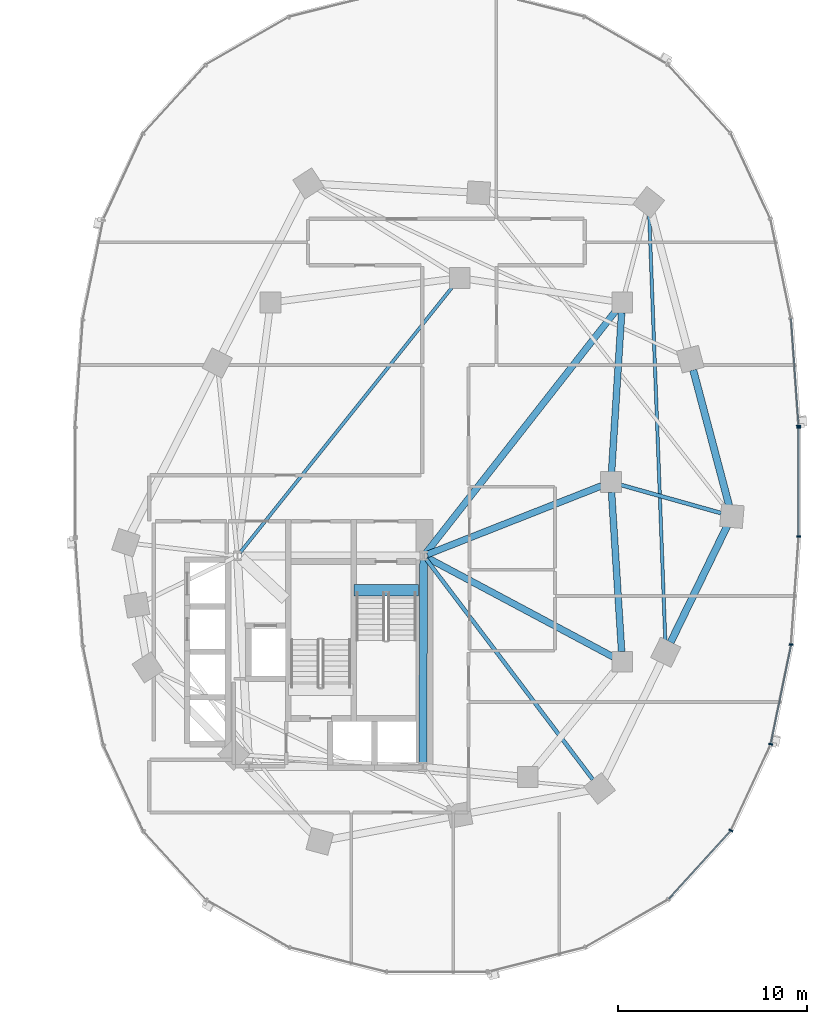
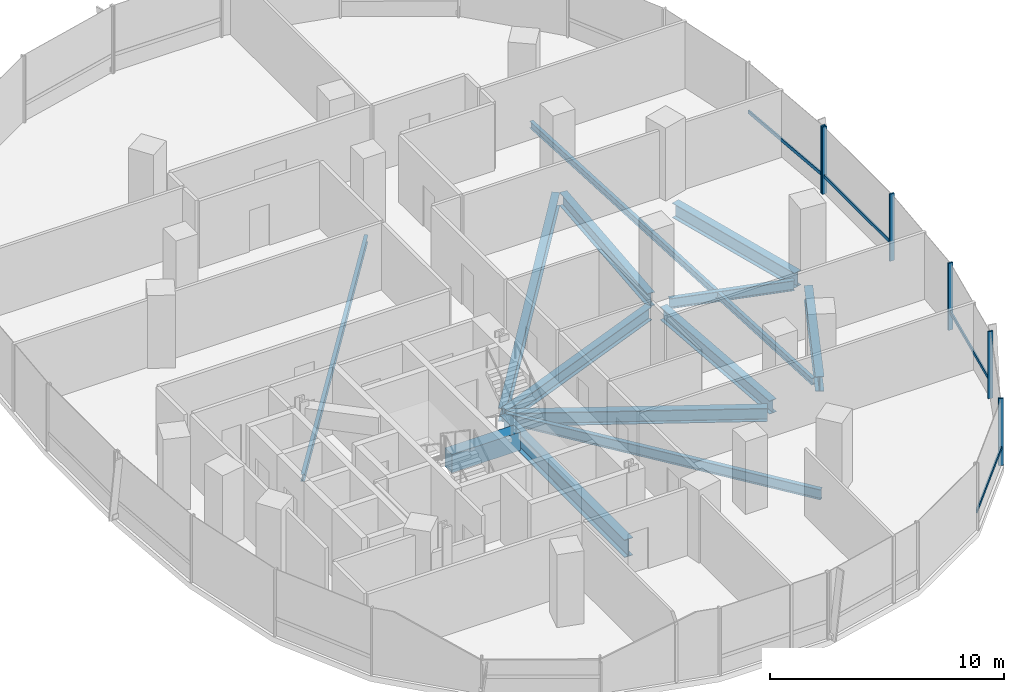
# One storey, part 6 of 22: 13 beams, 10 members, 2 elements without a shape of their own.
"""IFC4 building model written with IfcOpenShell, lengths in metres."""

from ifc_helpers import new_model, si_unit, direction, frame, origin, origin_2d, place, context, subcontext, project, spatial, rectangle, i_section, extrude, material, material_profile, profile_set, type_object, element, aggregate, save


model = new_model("IFC4")

# Units and contexts
model_context = context("Model", 3, precision=1e-05, world=origin(), true_north=direction((0.0, 1.0)))
body_context = subcontext(model_context, "Body", "Model", "MODEL_VIEW")
ifc_project = project(units=[si_unit("LENGTHUNIT", "METRE"), si_unit("AREAUNIT", "SQUARE_METRE"), si_unit("VOLUMEUNIT", "CUBIC_METRE"), si_unit("PLANEANGLEUNIT", "RADIAN"), si_unit("MASSUNIT", "GRAM", prefix="KILO"), si_unit("THERMODYNAMICTEMPERATUREUNIT", "KELVIN"), si_unit("POWERUNIT", "WATT")], contexts=[model_context])

# Site, building, storey
site_placement = place(None, origin())
site = spatial("IfcSite", under=ifc_project, at=site_placement, CompositionType="ELEMENT")
building_placement = place(site_placement, origin())
building = spatial("IfcBuilding", under=site, at=building_placement, Name="Cundina Bronze Exchange", CompositionType="ELEMENT")
storey_placement = place(building_placement, frame((0.0, 0.0, 43.0)))
storey = spatial("IfcBuildingStorey", under=building, at=storey_placement, Name="L10", CompositionType="ELEMENT", Elevation=43.0)

# Beams
ifc_material_1 = material(Name="Concrete C60/75", Category="concrete")
ifc_material_profile_1 = material_profile(ifc_material_1, rectangle(XDim=0.60009765625, YDim=0.949951171875, at=origin_2d()), Name="RC600X950", Category="concrete")
ifc_profile_set_1 = profile_set([ifc_material_profile_1], Name="Concrete C60/75")
beam_type_1 = type_object("IfcBeamType", Name="BM-COUP-RC950", PredefinedType="LINTEL", material=ifc_profile_set_1)
beam_1_placement = place(storey_placement, frame((27.6201171875, -5.719970703125, -0.47509765625), z_axis=(1.0, 0.0, 0.0), x_axis=(0.0, 1.0, 0.0)))
element("IfcBeam", 1, at=beam_1_placement, inside=storey, type_object=beam_type_1, Name="L10 Stair E1 Landing Header Beam", PredefinedType="LINTEL", context=body_context, shape_type="SweptSolid", body=[
    extrude(rectangle(XDim=0.60009765625, YDim=0.949951171875, at=origin_2d()), origin(), (0.0, 0.0, 1.0), 3.39990234375),
])
ifc_material_2 = material(Name="Steel ASTM A992 Grade 50", Category="steel")
ifc_material_profile_2 = material_profile(ifc_material_2, i_section(OverallWidth=0.2099609375, OverallDepth=0.532958984375, WebThickness=0.01025390625, FlangeThickness=0.015625, FilletRadius=0.013916015625, at=origin_2d()), Name="W21X62", Category="steel")
ifc_profile_set_2 = profile_set([ifc_material_profile_2], Name="Steel ASTM A992 Grade 50")
beam_type_2 = type_object("IfcBeamType", Name="BM-FLR-W21B", PredefinedType="BEAM", material=ifc_profile_set_2)
beam_2_placement = place(storey_placement, frame((31.423095703125, -4.062744140625, -0.56640625), z_axis=(0.603106461849, -0.797660702101, 0.0), x_axis=(0.797660702101, 0.603106461849, 0.0)))
element("IfcBeam", 2, at=beam_2_placement, inside=storey, type_object=beam_type_2, Name="L10 Leg E Chordal Floor Beam 06", PredefinedType="BEAM", context=body_context, shape_type="SweptSolid", body=[
    extrude(i_section(OverallWidth=0.2099609375, OverallDepth=0.532958984375, WebThickness=0.01025390625, FlangeThickness=0.015625, FilletRadius=0.013916015625, at=origin_2d()), origin(), (0.0, 0.0, 1.0), 14.6279296875),
])
beam_3_placement = place(storey_placement, frame((41.718017578125, -0.145751953125, -0.56640625), z_axis=(0.962650219971, -0.270748137554, 0.0), x_axis=(0.270748137554, 0.962650219971, 0.0)))
element("IfcBeam", 3, at=beam_3_placement, inside=storey, type_object=beam_type_2, Name="L10 Leg E Chordal Floor Beam 08", PredefinedType="BEAM", context=body_context, shape_type="SweptSolid", body=[
    extrude(i_section(OverallWidth=0.2099609375, OverallDepth=0.532958984375, WebThickness=0.01025390625, FlangeThickness=0.015625, FilletRadius=0.013916015625, at=origin_2d()), origin(), (0.0, 0.0, 1.0), 5.522216796875),
])
ifc_material_profile_3 = material_profile(ifc_material_2, i_section(OverallWidth=0.172119140625, OverallDepth=0.35791015625, WebThickness=0.0078125, FlangeThickness=0.01318359375, FilletRadius=0.010009765625, at=origin_2d()), Name="W14X38", Category="steel")
ifc_profile_set_3 = profile_set([ifc_material_profile_3], Name="Steel ASTM A992 Grade 50")
beam_type_3 = type_object("IfcBeamType", Name="BM-JST-W14", PredefinedType="JOIST", material=ifc_profile_set_3)
beam_4_placement = place(storey_placement, frame((21.577392578125, -3.740478515625, -0.47900390625), z_axis=(0.62436887964, 0.781129632095, 0.0), x_axis=(-0.781129632095, 0.62436887964, 0.0)))
element("IfcBeam", 4, at=beam_4_placement, inside=storey, type_object=beam_type_3, Name="L10 E Interior Core-to-Ring Joist 2", PredefinedType="JOIST", context=body_context, shape_type="SweptSolid", body=[
    extrude(i_section(OverallWidth=0.172119140625, OverallDepth=0.35791015625, WebThickness=0.0078125, FlangeThickness=0.01318359375, FilletRadius=0.010009765625, at=origin_2d()), origin(), (0.0, 0.0, 1.0), 18.076904296875),
])
beam_5_placement = place(storey_placement, frame((44.077880859375, -8.412353515625, -0.47900390625), z_axis=(-0.037794949147, 0.999285515666, 0.0), x_axis=(-0.999285515666, -0.037794949147, 0.0)))
element("IfcBeam", 5, at=beam_5_placement, inside=storey, type_object=beam_type_3, Name="L10 Leg E Lobe Floor Joist 07-10", PredefinedType="JOIST", context=body_context, shape_type="SweptSolid", body=[
    extrude(i_section(OverallWidth=0.172119140625, OverallDepth=0.35791015625, WebThickness=0.0078125, FlangeThickness=0.01318359375, FilletRadius=0.010009765625, at=origin_2d()), origin(), (0.0, 0.0, 1.0), 22.640869140625),
])
ifc_material_profile_4 = material_profile(ifc_material_2, i_section(OverallWidth=0.35498046875, OverallDepth=0.695068359375, WebThickness=0.015380859375, FlangeThickness=0.02490234375, FilletRadius=0.01806640625, at=origin_2d()), Name="W27X146", Category="steel")
ifc_profile_set_4 = profile_set([ifc_material_profile_4], Name="Steel ASTM A992 Grade 50")
beam_type_4 = type_object("IfcBeamType", Name="BM-RING-W27", PredefinedType="USERDEFINED", material=ifc_profile_set_4)
for number, where, z_axis, x_axis, name in (
    (6, (41.76611328125, -8.963134765625, -0.6474609375), (-0.06303715519, 0.998011180832, 0.0), (-0.998011180832, -0.06303715519, 0.0), "L10 E Inner Structural Ring Girder 03"),
    (7, (41.23388671875, 0.536865234375, -0.6474609375), (0.06303715519, 0.998011180832, 0.0), (-0.998011180832, 0.06303715519, 0.0), "L10 E Inner Structural Ring Girder 04"),
):
    element("IfcBeam", number, at=place(storey_placement, frame(where, z_axis=z_axis, x_axis=x_axis)), inside=storey, type_object=beam_type_4, Name=name, ObjectType="GIRDER", PredefinedType="USERDEFINED", context=body_context, shape_type="SweptSolid", body=[
        extrude(i_section(OverallWidth=0.35498046875, OverallDepth=0.695068359375, WebThickness=0.015380859375, FlangeThickness=0.02490234375, FilletRadius=0.01806640625, at=origin_2d()), origin(), (0.0, 0.0, 1.0), 8.443115234375),
    ])
beam_6_placement = place(storey_placement, frame((31.48974609375, -3.8251953125, -0.6474609375), z_axis=(0.930413235418, 0.366512225388, 0.0), x_axis=(-0.366512225388, 0.930413235418, 0.0)))
element("IfcBeam", 8, at=beam_6_placement, inside=storey, type_object=beam_type_4, Name="L10 E Core-to-Waist Tie Beam 1", ObjectType="GIRDER", PredefinedType="USERDEFINED", context=body_context, shape_type="SweptSolid", body=[
    extrude(i_section(OverallWidth=0.35498046875, OverallDepth=0.695068359375, WebThickness=0.015380859375, FlangeThickness=0.02490234375, FilletRadius=0.01806640625, at=origin_2d()), origin(), (0.0, 0.0, 1.0), 9.8984375),
])
beam_7_placement = place(storey_placement, frame((31.47998046875, -3.99609375, -0.6474609375), z_axis=(0.882354758239, -0.470584828286, 0.0), x_axis=(0.470584828286, 0.882354758239, 0.0)))
element("IfcBeam", 9, at=beam_7_placement, inside=storey, type_object=beam_type_4, Name="L10 E Core-to-Waist Tie Beam 2", ObjectType="GIRDER", PredefinedType="USERDEFINED", context=body_context, shape_type="SweptSolid", body=[
    extrude(i_section(OverallWidth=0.35498046875, OverallDepth=0.695068359375, WebThickness=0.015380859375, FlangeThickness=0.02490234375, FilletRadius=0.01806640625, at=origin_2d()), origin(), (0.0, 0.0, 1.0), 11.157958984375),
])
beam_8_placement = place(storey_placement, frame((31.42578125, -3.739501953125, -0.6474609375), z_axis=(0.616789275748, 0.787128318206, 0.0), x_axis=(-0.787128318206, 0.616789275748, 0.0)))
element("IfcBeam", 10, at=beam_8_placement, inside=storey, type_object=beam_type_4, Name="L10 E Core-to-Waist Tie Beam 3", ObjectType="GIRDER", PredefinedType="USERDEFINED", context=body_context, shape_type="SweptSolid", body=[
    extrude(i_section(OverallWidth=0.35498046875, OverallDepth=0.695068359375, WebThickness=0.015380859375, FlangeThickness=0.02490234375, FilletRadius=0.01806640625, at=origin_2d()), origin(), (0.0, 0.0, 1.0), 16.281982421875),
])
ifc_material_profile_5 = material_profile(ifc_material_2, i_section(OverallWidth=0.381103515625, OverallDepth=0.77294921875, WebThickness=0.0166015625, FlangeThickness=0.027099609375, FilletRadius=0.01904296875, at=origin_2d()), Name="W30X173", Category="steel")
ifc_profile_set_5 = profile_set([ifc_material_profile_5], Name="Steel ASTM A992 Grade 50")
beam_type_5 = type_object("IfcBeamType", Name="BM-RING-W30", PredefinedType="USERDEFINED", material=ifc_profile_set_5)
beam_9_placement = place(storey_placement, frame((44.357177734375, -8.47119140625, -0.6865234375), z_axis=(0.437190698904, 0.899368830231, 0.0), x_axis=(-0.899368830231, 0.437190698904, 0.0)))
element("IfcBeam", 11, at=beam_9_placement, inside=storey, type_object=beam_type_5, Name="L10 E Perimeter Ring Girder 07", ObjectType="GIRDER", PredefinedType="USERDEFINED", context=body_context, shape_type="SweptSolid", body=[
    extrude(i_section(OverallWidth=0.381103515625, OverallDepth=0.77294921875, WebThickness=0.0166015625, FlangeThickness=0.027099609375, FilletRadius=0.01904296875, at=origin_2d()), origin(), (0.0, 0.0, 1.0), 6.82958984375),
])
beam_10_placement = place(storey_placement, frame((47.44921875, -1.231689453125, -0.6865234375), z_axis=(-0.256177785604, 0.966629682021, 0.0), x_axis=(-0.966629682021, -0.256177785604, 0.0)))
element("IfcBeam", 12, at=beam_10_placement, inside=storey, type_object=beam_type_5, Name="L10 E Perimeter Ring Girder 08", ObjectType="GIRDER", PredefinedType="USERDEFINED", context=body_context, shape_type="SweptSolid", body=[
    extrude(i_section(OverallWidth=0.381103515625, OverallDepth=0.77294921875, WebThickness=0.0166015625, FlangeThickness=0.027099609375, FilletRadius=0.01904296875, at=origin_2d()), origin(), (0.0, 0.0, 1.0), 7.41064453125),
])
ifc_material_profile_6 = material_profile(ifc_material_2, i_section(OverallWidth=0.41796875, OverallDepth=0.927001953125, WebThickness=0.019287109375, FlangeThickness=0.031982421875, FilletRadius=0.02392578125, at=origin_2d()), Name="W36X231", Category="steel")
ifc_profile_set_6 = profile_set([ifc_material_profile_6], Name="Steel ASTM A992 Grade 50")
beam_type_6 = type_object("IfcBeamType", Name="BM-WRN-W36B", PredefinedType="USERDEFINED", material=ifc_profile_set_6)
beam_11_placement = place(storey_placement, frame((31.2509765625, -14.845947265625, -0.763427734375), z_axis=(0.004477329608, 0.99998997671, 0.0), x_axis=(-0.99998997671, 0.004477329608, 0.0)))
element("IfcBeam", 13, at=beam_11_placement, inside=storey, type_object=beam_type_6, Name="L10 E Core Perimeter Tie Girder 4", ObjectType="GIRDER", PredefinedType="USERDEFINED", context=body_context, shape_type="SweptSolid", body=[
    extrude(i_section(OverallWidth=0.41796875, OverallDepth=0.927001953125, WebThickness=0.019287109375, FlangeThickness=0.031982421875, FilletRadius=0.02392578125, at=origin_2d()), origin(), (0.0, 0.0, 1.0), 10.741943359375),
])

# Curtain wall, member
ifc_material_3 = material(Name="Anodised Bronze Aluminium 6063-T6", Category="aluminium")
curtain_wall_type = type_object("IfcCurtainWallType", Name="CWS-TRD-LOW", PredefinedType="NOTDEFINED", material=ifc_material_3)
curtain_wall_1_placement = place(storey_placement, origin())
curtain_wall_1 = element("IfcCurtainWall", 14, at=curtain_wall_1_placement, inside=storey, type_object=curtain_wall_type, Name="L10 CW-02 Curtain Wall Run CWR-L10-E1", PredefinedType="NOTDEFINED")
ifc_material_profile_7 = material_profile(ifc_material_3, rectangle(XDim=0.074951171875, YDim=0.219970703125, at=origin_2d()), Name="AL75X220", Category="aluminium")
ifc_profile_set_7 = profile_set([ifc_material_profile_7], Name="Anodised Bronze Aluminium 6063-T6")
member_type_1 = type_object("IfcMemberType", Name="CWM-MUL-220", PredefinedType="MULLION", material=ifc_profile_set_7)
member_1_placement = place(storey_placement, frame((51.12451171875, 2.976318359375, 0.0), z_axis=(0.0, 0.0, 1.0), x_axis=(-0.070278787473, 0.997527389113, 0.0)))
member_1 = element("IfcMember", 15, at=member_1_placement, type_object=member_type_1, Name="CW-02 Mullion 1", PredefinedType="MULLION", context=body_context, shape_type="SweptSolid", body=[
    extrude(rectangle(XDim=0.074951171875, YDim=0.219970703125, at=origin_2d()), origin(), (0.0, 0.0, 1.0), 3.5),
])

# Curtain wall, members
curtain_wall_2_placement = place(storey_placement, origin())
curtain_wall_2 = element("IfcCurtainWall", 16, at=curtain_wall_2_placement, inside=storey, type_object=curtain_wall_type, Name="L10 CW-02 Curtain Wall Run CWR-L10-E4", PredefinedType="NOTDEFINED")
member_2_placement = place(storey_placement, frame((47.544189453125, -18.423583984375, 0.0), z_axis=(0.0, 0.0, 1.0), x_axis=(0.42087749791, 0.907117485088, 0.0)))
member_2 = element("IfcMember", 17, at=member_2_placement, type_object=member_type_1, Name="CW-02 Mullion 4", PredefinedType="MULLION", context=body_context, shape_type="SweptSolid", body=[
    extrude(rectangle(XDim=0.074951171875, YDim=0.219970703125, at=origin_2d()), origin(), (0.0, 0.0, 1.0), 3.5),
])
member_3_placement = place(storey_placement, frame((49.651123046875, -13.861328125, 0.0), z_axis=(0.0, 0.0, 1.0), x_axis=(0.201419845156, 0.979505000486, 0.0)))
member_3 = element("IfcMember", 18, at=member_3_placement, type_object=member_type_1, Name="CW-02 Mullion 5", PredefinedType="MULLION", context=body_context, shape_type="SweptSolid", body=[
    extrude(rectangle(XDim=0.074951171875, YDim=0.219970703125, at=origin_2d()), origin(), (0.0, 0.0, 1.0), 3.5),
])
member_4_placement = place(storey_placement, frame((50.72900390625, -8.591552734375, 0.0), z_axis=(0.0, 0.0, 1.0), x_axis=(0.070278787473, 0.997527389113, 0.0)))
member_4 = element("IfcMember", 19, at=member_4_placement, type_object=member_type_1, Name="CW-02 Mullion 6", PredefinedType="MULLION", context=body_context, shape_type="SweptSolid", body=[
    extrude(rectangle(XDim=0.074951171875, YDim=0.219970703125, at=origin_2d()), origin(), (0.0, 0.0, 1.0), 3.5),
])
member_5_placement = place(storey_placement, frame((51.1279296875, -2.880615234375, 0.0), z_axis=(0.0, 0.0, 1.0), x_axis=(0.0, 1.0, 0.0)))
member_5 = element("IfcMember", 20, at=member_5_placement, type_object=member_type_1, Name="CW-02 Mullion 7", PredefinedType="MULLION", context=body_context, shape_type="SweptSolid", body=[
    extrude(rectangle(XDim=0.074951171875, YDim=0.219970703125, at=origin_2d()), origin(), (0.0, 0.0, 1.0), 3.5),
])
member_6_placement = place(storey_placement, frame((51.1279296875, 2.880615234375, 0.0), z_axis=(0.0, 0.0, 1.0), x_axis=(0.0, 1.0, 0.0)))
member_6 = element("IfcMember", 21, at=member_6_placement, type_object=member_type_1, Name="CW-02 End Mullion", PredefinedType="MULLION", context=body_context, shape_type="SweptSolid", body=[
    extrude(rectangle(XDim=0.074951171875, YDim=0.219970703125, at=origin_2d()), origin(), (0.0, 0.0, 1.0), 3.5),
])

# Member
ifc_material_profile_8 = material_profile(ifc_material_3, rectangle(XDim=0.070068359375, YDim=0.179931640625, at=origin_2d()), Name="AL70X180", Category="aluminium")
ifc_profile_set_8 = profile_set([ifc_material_profile_8], Name="Anodised Bronze Aluminium 6063-T6")
member_type_2 = type_object("IfcMemberType", Name="CWM-TRN-180", PredefinedType="USERDEFINED", material=ifc_profile_set_8)
member_7_placement = place(storey_placement, frame((51.12158203125, 3.017333984375, 0.919921875), z_axis=(-0.070260714471, 0.997528662246, 0.0), x_axis=(-0.997528662246, -0.070260714471, 0.0)))
member_7 = element("IfcMember", 22, at=member_7_placement, type_object=member_type_2, Name="CW-02 Spandrel Transom 1", ObjectType="TRANSOM", PredefinedType="USERDEFINED", context=body_context, shape_type="SweptSolid", body=[
    extrude(rectangle(XDim=0.070068359375, YDim=0.179931640625, at=origin_2d()), origin(), (0.0, 0.0, 1.0), 5.629150390625),
])

aggregate(curtain_wall_1, [member_1, member_7])

member_8_placement = place(storey_placement, frame((44.26708984375, -22.027099609375, 0.919921875), z_axis=(0.674302794847, 0.738454968743, 0.0), x_axis=(-0.738454968743, 0.674302794847, 0.0)))
member_8 = element("IfcMember", 23, at=member_8_placement, type_object=member_type_2, Name="CW-02 Spandrel Transom 3", ObjectType="TRANSOM", PredefinedType="USERDEFINED", context=body_context, shape_type="SweptSolid", body=[
    extrude(rectangle(XDim=0.070068359375, YDim=0.179931640625, at=origin_2d()), origin(), (0.0, 0.0, 1.0), 4.848388671875),
])

member_9_placement = place(storey_placement, frame((49.659423828125, -13.821044921875, 0.919921875), z_axis=(0.201427712708, 0.979503382615, 0.0), x_axis=(-0.979503382615, 0.201427712708, 0.0)))
member_9 = element("IfcMember", 24, at=member_9_placement, type_object=member_type_2, Name="CW-02 Spandrel Transom 5", ObjectType="TRANSOM", PredefinedType="USERDEFINED", context=body_context, shape_type="SweptSolid", body=[
    extrude(rectangle(XDim=0.070068359375, YDim=0.179931640625, at=origin_2d()), origin(), (0.0, 0.0, 1.0), 5.291748046875),
])

member_10_placement = place(storey_placement, frame((51.1279296875, -2.839111328125, 0.919921875), z_axis=(0.0, 1.0, 0.0), x_axis=(-1.0, 0.0, 0.0)))
member_10 = element("IfcMember", 25, at=member_10_placement, type_object=member_type_2, Name="CW-02 Spandrel Transom 7", ObjectType="TRANSOM", PredefinedType="USERDEFINED", context=body_context, shape_type="SweptSolid", body=[
    extrude(rectangle(XDim=0.070068359375, YDim=0.179931640625, at=origin_2d()), origin(), (0.0, 0.0, 1.0), 5.67822265625),
])

aggregate(curtain_wall_2, [member_8, member_2, member_3, member_9, member_4, member_5, member_6, member_10])

save(model, "model.ifc")
